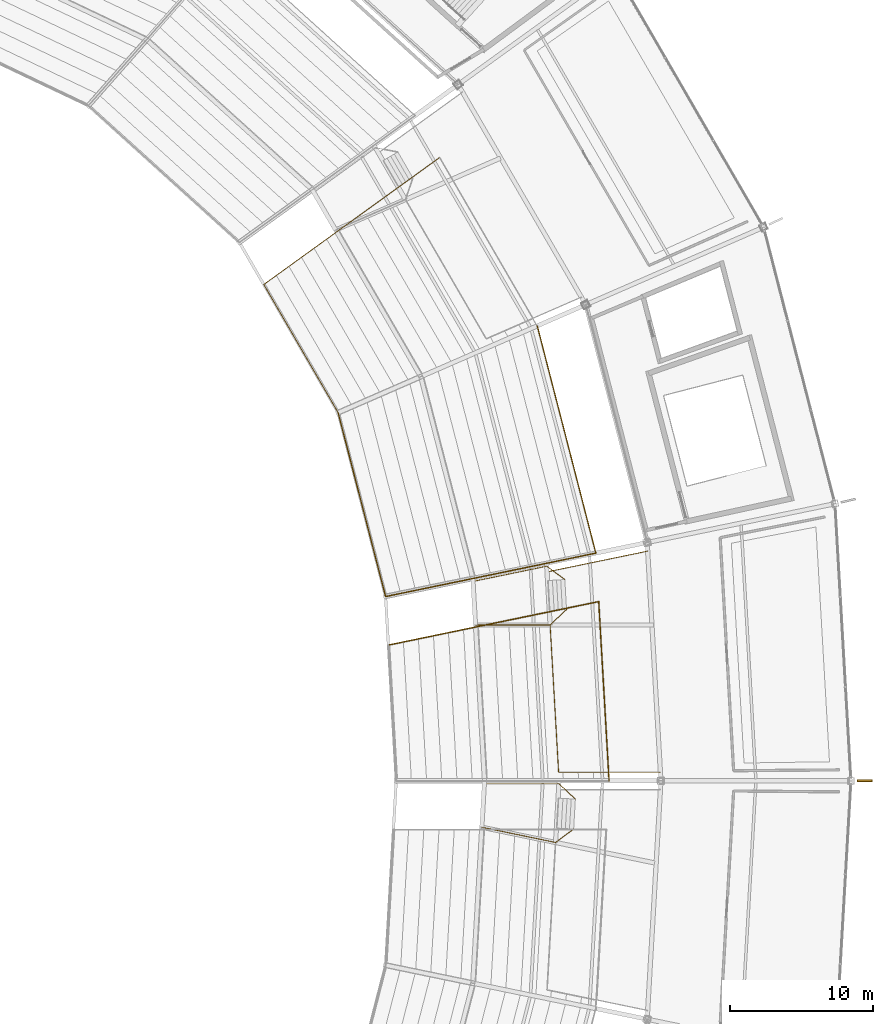
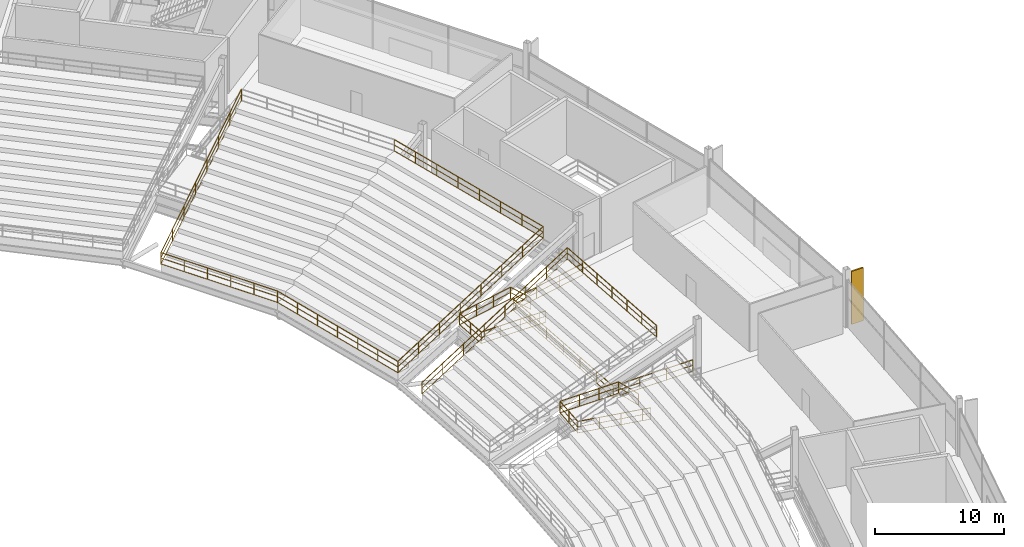
# One storey, part 179 of 186: 10 railings, 1 shading device.
"""IFC4 building model written with IfcOpenShell, lengths in metres."""

from ifc_helpers import new_model, si_unit, direction, frame, origin, origin_2d, place, context, subcontext, project, spatial, rectangle, extrude, material, type_object, element, save


model = new_model("IFC4")

# Units and contexts
model_context = context("Model", 3, precision=1e-05, world=origin(), true_north=direction((0.0, 1.0)))
body_context = subcontext(model_context, "Body", "Model", "MODEL_VIEW")
ifc_project = project(units=[si_unit("LENGTHUNIT", "METRE"), si_unit("AREAUNIT", "SQUARE_METRE"), si_unit("VOLUMEUNIT", "CUBIC_METRE"), si_unit("PLANEANGLEUNIT", "RADIAN"), si_unit("MASSUNIT", "GRAM", prefix="KILO")], contexts=[model_context])

# Site, building, storey
site_placement = place(None, origin())
site = spatial("IfcSite", under=ifc_project, at=site_placement, CompositionType="ELEMENT")
building_placement = place(site_placement, origin())
building = spatial("IfcBuilding", under=site, at=building_placement, Name="Kazemori Nagisa Stadium", CompositionType="ELEMENT")
storey_placement = place(building_placement, frame((0.0, 0.0, 20.39990234375)))
storey = spatial("IfcBuildingStorey", under=building, at=storey_placement, Name="L04", CompositionType="ELEMENT", Elevation=20.39990234375)

# Shading device
ifc_material_1 = material(Name="Aluminium 6063-T5 anodised", Category="aluminium")
shading_device_type = type_object("IfcShadingDeviceType", Name="Fin_FN03", PredefinedType="USERDEFINED", material=ifc_material_1)
shading_device_placement = place(storey_placement, frame((218.955078125, 102.0, 0.0), z_axis=(0.0, 0.0, 1.0), x_axis=(1.0, 0.0, 0.0)))
element("IfcShadingDevice", 1, at=shading_device_placement, inside=storey, type_object=shading_device_type, Name="Aerodynamic wave shading fin L04-01", ObjectType="FIN", PredefinedType="USERDEFINED", context=body_context, shape_type="SweptSolid", body=[
    extrude(rectangle(XDim=1.050048828125, YDim=0.139892578125, at=origin_2d()), origin(), (0.0, 0.0, 1.0), 5.0),
])

# Railings
ifc_material_2 = material(Name="Laminated safety glass and stainless steel SUS304", Category="steel")
railing_type_1 = type_object("IfcRailingType", Name="Rail_BAL", PredefinedType="BALUSTRADE", material=ifc_material_2)
railing_1_placement = place(storey_placement, frame((204.66552734375, 102.59912109375, 0.0)))
element("IfcRailing", 2, at=railing_1_placement, inside=storey, type_object=railing_type_1, Name="Upper vomitory lobby balustrade B01", PredefinedType="BALUSTRADE", context=body_context, shape_type="SweptSolid", body=[
    extrude(rectangle(XDim=0.050048828125, YDim=0.050048828125, at=origin_2d()), frame((0.0, 0.0, 1.09521484375), z_axis=(-1.0, 0.0, 0.0), x_axis=(0.0, -1.0, 0.0)), (0.0, 0.0, 1.0), 7.125),
    extrude(rectangle(XDim=0.03759765625, YDim=0.03759765625, at=origin_2d()), frame((0.0, 0.0, 0.58251953125), z_axis=(-1.0, 0.0, 0.0), x_axis=(0.0, -1.0, 0.0)), (0.0, 0.0, 1.0), 7.125),
    extrude(rectangle(XDim=0.03759765625, YDim=0.03759765625, at=origin_2d()), frame((0.0, 0.0, 0.02490234375), z_axis=(-1.0, 0.0, 0.0), x_axis=(0.0, -1.0, 0.0)), (0.0, 0.0, 1.0), 7.125),
    extrude(rectangle(XDim=0.050048828125, YDim=0.050048828125, at=origin_2d()), frame((-7.125, 0.0, 1.09521484375), z_axis=(-0.057610854061, 0.998339115478, 0.0), x_axis=(-0.998339115478, -0.057610854061, 0.0)), (0.0, 0.0, 1.0), 14.052490234375),
    extrude(rectangle(XDim=0.03759765625, YDim=0.03759765625, at=origin_2d()), frame((-7.125, 0.0, 0.58251953125), z_axis=(-0.057610854061, 0.998339115478, 0.0), x_axis=(-0.998339115478, -0.057610854061, 0.0)), (0.0, 0.0, 1.0), 14.052490234375),
    extrude(rectangle(XDim=0.03759765625, YDim=0.03759765625, at=origin_2d()), frame((-7.125, 0.0, 0.02490234375), z_axis=(-0.057610854061, 0.998339115478, 0.0), x_axis=(-0.998339115478, -0.057610854061, 0.0)), (0.0, 0.0, 1.0), 14.052490234375),
    extrude(rectangle(XDim=0.050048828125, YDim=0.050048828125, at=origin_2d()), frame((-7.9345703125, 14.029052734375, 1.09521484375), z_axis=(0.979313585997, 0.202348462516, 0.0), x_axis=(-0.202348462516, 0.979313585997, 0.0)), (0.0, 0.0, 1.0), 7.189697265625),
    extrude(rectangle(XDim=0.03759765625, YDim=0.03759765625, at=origin_2d()), frame((-7.9345703125, 14.029052734375, 0.58251953125), z_axis=(0.979313585997, 0.202348462516, 0.0), x_axis=(-0.202348462516, 0.979313585997, 0.0)), (0.0, 0.0, 1.0), 7.189697265625),
    extrude(rectangle(XDim=0.03759765625, YDim=0.03759765625, at=origin_2d()), frame((-7.9345703125, 14.029052734375, 0.02490234375), z_axis=(0.979313585997, 0.202348462516, 0.0), x_axis=(-0.202348462516, 0.979313585997, 0.0)), (0.0, 0.0, 1.0), 7.189697265625),
    extrude(rectangle(XDim=0.044921875, YDim=0.044921875, at=origin_2d()), origin(), (0.0, 0.0, 1.0), 1.070068359375),
    extrude(rectangle(XDim=0.044921875, YDim=0.044921875, at=origin_2d()), frame((-2.375, 0.0, 0.0)), (0.0, 0.0, 1.0), 1.070068359375),
    extrude(rectangle(XDim=0.044921875, YDim=0.044921875, at=origin_2d()), frame((-4.75, 0.0, 0.0)), (0.0, 0.0, 1.0), 1.070068359375),
    extrude(rectangle(XDim=0.044921875, YDim=0.044921875, at=origin_2d()), frame((-7.125, 0.0, 0.0)), (0.0, 0.0, 1.0), 1.070068359375),
    extrude(rectangle(XDim=0.044921875, YDim=0.044921875, at=origin_2d()), frame((-7.260009765625, 2.338134765625, 0.0)), (0.0, 0.0, 1.0), 1.070068359375),
    extrude(rectangle(XDim=0.044921875, YDim=0.044921875, at=origin_2d()), frame((-7.394775390625, 4.67626953125, 0.0)), (0.0, 0.0, 1.0), 1.070068359375),
    extrude(rectangle(XDim=0.044921875, YDim=0.044921875, at=origin_2d()), frame((-7.52978515625, 7.0146484375, 0.0)), (0.0, 0.0, 1.0), 1.070068359375),
    extrude(rectangle(XDim=0.044921875, YDim=0.044921875, at=origin_2d()), frame((-7.664794921875, 9.352783203125, 0.0)), (0.0, 0.0, 1.0), 1.070068359375),
    extrude(rectangle(XDim=0.044921875, YDim=0.044921875, at=origin_2d()), frame((-7.799560546875, 11.69091796875, 0.0)), (0.0, 0.0, 1.0), 1.070068359375),
    extrude(rectangle(XDim=0.044921875, YDim=0.044921875, at=origin_2d()), frame((-7.9345703125, 14.029052734375, 0.0)), (0.0, 0.0, 1.0), 1.070068359375),
    extrude(rectangle(XDim=0.044921875, YDim=0.044921875, at=origin_2d()), frame((-5.587646484375, 14.513916015625, 0.0)), (0.0, 0.0, 1.0), 1.070068359375),
    extrude(rectangle(XDim=0.044921875, YDim=0.044921875, at=origin_2d()), frame((-3.240478515625, 14.9990234375, 0.0)), (0.0, 0.0, 1.0), 1.070068359375),
    extrude(rectangle(XDim=0.044921875, YDim=0.044921875, at=origin_2d()), frame((-0.8935546875, 15.48388671875, 0.0)), (0.0, 0.0, 1.0), 1.070068359375),
])
ifc_material_3 = material(Name="Galvanised powder-coated steel", Category="steel")
railing_type_2 = type_object("IfcRailingType", Name="Rail_GUARD", PredefinedType="GUARDRAIL", material=ifc_material_3)
railing_2_placement = place(storey_placement, frame((198.094970703125, 113.9931640625, 0.0)))
element("IfcRailing", 3, at=railing_2_placement, inside=storey, type_object=railing_type_2, Name="Vomitory upper portal guard VU01", PredefinedType="GUARDRAIL", context=body_context, shape_type="SweptSolid", body=[
    extrude(rectangle(XDim=0.050048828125, YDim=0.050048828125, at=origin_2d()), frame((0.0, 0.0, 1.09521484375), z_axis=(-0.637018994905, -0.596977027928, 0.487673280236), x_axis=(0.683801949818, -0.729667659572, 0.0)), (0.0, 0.0, 1.0), 1.8046875),
    extrude(rectangle(XDim=0.03759765625, YDim=0.03759765625, at=origin_2d()), frame((0.0, 0.0, 0.58251953125), z_axis=(-0.637018994905, -0.596977027928, 0.487673280236), x_axis=(0.683801949818, -0.729667659572, 0.0)), (0.0, 0.0, 1.0), 1.8046875),
    extrude(rectangle(XDim=0.03759765625, YDim=0.03759765625, at=origin_2d()), frame((0.0, 0.0, 0.02490234375), z_axis=(-0.637018994905, -0.596977027928, 0.487673280236), x_axis=(0.683801949818, -0.729667659572, 0.0)), (0.0, 0.0, 1.0), 1.8046875),
    extrude(rectangle(XDim=0.050048828125, YDim=0.050048828125, at=origin_2d()), frame((-1.149658203125, -1.077392578125, 1.97509765625), z_axis=(-1.0, 0.0, 0.0), x_axis=(0.0, -1.0, 0.0)), (0.0, 0.0, 1.0), 5.22509765625),
    extrude(rectangle(XDim=0.03759765625, YDim=0.03759765625, at=origin_2d()), frame((-1.149658203125, -1.077392578125, 1.462646484375), z_axis=(-1.0, 0.0, 0.0), x_axis=(0.0, -1.0, 0.0)), (0.0, 0.0, 1.0), 5.22509765625),
    extrude(rectangle(XDim=0.03759765625, YDim=0.03759765625, at=origin_2d()), frame((-1.149658203125, -1.077392578125, 0.9052734375), z_axis=(-1.0, 0.0, 0.0), x_axis=(0.0, -1.0, 0.0)), (0.0, 0.0, 1.0), 5.22509765625),
    extrude(rectangle(XDim=0.050048828125, YDim=0.050048828125, at=origin_2d()), frame((-6.374755859375, -1.077392578125, 1.97509765625), z_axis=(-0.057633356959, 0.998337816656, 0.0), x_axis=(-0.998337816656, -0.057633356959, 0.0)), (0.0, 0.0, 1.0), 3.050048828125),
    extrude(rectangle(XDim=0.03759765625, YDim=0.03759765625, at=origin_2d()), frame((-6.374755859375, -1.077392578125, 1.462646484375), z_axis=(-0.057633356959, 0.998337816656, 0.0), x_axis=(-0.998337816656, -0.057633356959, 0.0)), (0.0, 0.0, 1.0), 3.050048828125),
    extrude(rectangle(XDim=0.03759765625, YDim=0.03759765625, at=origin_2d()), frame((-6.374755859375, -1.077392578125, 0.9052734375), z_axis=(-0.057633356959, 0.998337816656, 0.0), x_axis=(-0.998337816656, -0.057633356959, 0.0)), (0.0, 0.0, 1.0), 3.050048828125),
    extrude(rectangle(XDim=0.050048828125, YDim=0.050048828125, at=origin_2d()), frame((-6.550537109375, 1.967529296875, 1.97509765625), z_axis=(0.979314238208, 0.202345305956, 0.0), x_axis=(-0.202345305956, 0.979314238208, 0.0)), (0.0, 0.0, 1.0), 5.272705078125),
    extrude(rectangle(XDim=0.03759765625, YDim=0.03759765625, at=origin_2d()), frame((-6.550537109375, 1.967529296875, 1.462646484375), z_axis=(0.979314238208, 0.202345305956, 0.0), x_axis=(-0.202345305956, 0.979314238208, 0.0)), (0.0, 0.0, 1.0), 5.272705078125),
    extrude(rectangle(XDim=0.03759765625, YDim=0.03759765625, at=origin_2d()), frame((-6.550537109375, 1.967529296875, 0.9052734375), z_axis=(0.979314238208, 0.202345305956, 0.0), x_axis=(-0.202345305956, 0.979314238208, 0.0)), (0.0, 0.0, 1.0), 5.272705078125),
    extrude(rectangle(XDim=0.050048828125, YDim=0.050048828125, at=origin_2d()), frame((-1.386962890625, 3.034423828125, 1.97509765625), z_axis=(0.701505582617, -0.519703904438, -0.487645126366), x_axis=(0.595279424775, 0.803518765456, 0.0)), (0.0, 0.0, 1.0), 1.804931640625),
    extrude(rectangle(XDim=0.03759765625, YDim=0.03759765625, at=origin_2d()), frame((-1.386962890625, 3.034423828125, 1.462646484375), z_axis=(0.701505582617, -0.519703904438, -0.487645126366), x_axis=(0.595279424775, 0.803518765456, 0.0)), (0.0, 0.0, 1.0), 1.804931640625),
    extrude(rectangle(XDim=0.03759765625, YDim=0.03759765625, at=origin_2d()), frame((-1.386962890625, 3.034423828125, 0.9052734375), z_axis=(0.701505582617, -0.519703904438, -0.487645126366), x_axis=(0.595279424775, 0.803518765456, 0.0)), (0.0, 0.0, 1.0), 1.804931640625),
    extrude(rectangle(XDim=0.044921875, YDim=0.044921875, at=origin_2d()), origin(), (0.0, 0.0, 1.0), 1.070068359375),
    extrude(rectangle(XDim=0.044921875, YDim=0.044921875, at=origin_2d()), frame((-1.149658203125, -1.077392578125, 0.880126953125)), (0.0, 0.0, 1.0), 1.070068359375),
    extrude(rectangle(XDim=0.044921875, YDim=0.044921875, at=origin_2d()), frame((-2.891357421875, -1.077392578125, 0.880126953125)), (0.0, 0.0, 1.0), 1.070068359375),
    extrude(rectangle(XDim=0.044921875, YDim=0.044921875, at=origin_2d()), frame((-4.633056640625, -1.077392578125, 0.880126953125)), (0.0, 0.0, 1.0), 1.070068359375),
    extrude(rectangle(XDim=0.044921875, YDim=0.044921875, at=origin_2d()), frame((-6.374755859375, -1.077392578125, 0.880126953125)), (0.0, 0.0, 1.0), 1.070068359375),
    extrude(rectangle(XDim=0.044921875, YDim=0.044921875, at=origin_2d()), frame((-6.462646484375, 0.445068359375, 0.880126953125)), (0.0, 0.0, 1.0), 1.070068359375),
    extrude(rectangle(XDim=0.044921875, YDim=0.044921875, at=origin_2d()), frame((-6.550537109375, 1.967529296875, 0.880126953125)), (0.0, 0.0, 1.0), 1.070068359375),
    extrude(rectangle(XDim=0.044921875, YDim=0.044921875, at=origin_2d()), frame((-4.829345703125, 2.3232421875, 0.880126953125)), (0.0, 0.0, 1.0), 1.070068359375),
    extrude(rectangle(XDim=0.044921875, YDim=0.044921875, at=origin_2d()), frame((-3.108154296875, 2.6787109375, 0.880126953125)), (0.0, 0.0, 1.0), 1.070068359375),
    extrude(rectangle(XDim=0.044921875, YDim=0.044921875, at=origin_2d()), frame((-1.386962890625, 3.034423828125, 0.880126953125)), (0.0, 0.0, 1.0), 1.070068359375),
    extrude(rectangle(XDim=0.044921875, YDim=0.044921875, at=origin_2d()), frame((-0.120849609375, 2.096435546875, 0.0)), (0.0, 0.0, 1.0), 1.070068359375),
])
railing_3_placement = place(storey_placement, frame((198.59228515625, 98.62646484375, 0.0)))
element("IfcRailing", 4, at=railing_3_placement, inside=storey, type_object=railing_type_2, Name="Vomitory upper portal guard VU12", PredefinedType="GUARDRAIL", context=body_context, shape_type="SweptSolid", body=[
    extrude(rectangle(XDim=0.050048828125, YDim=0.050048828125, at=origin_2d()), frame((0.0, 0.0, 1.09521484375), z_axis=(-0.701505582617, -0.519703904438, 0.487645126366), x_axis=(0.595279424775, -0.803518765456, 0.0)), (0.0, 0.0, 1.0), 1.804931640625),
    extrude(rectangle(XDim=0.03759765625, YDim=0.03759765625, at=origin_2d()), frame((0.0, 0.0, 0.58251953125), z_axis=(-0.701505582617, -0.519703904438, 0.487645126366), x_axis=(0.595279424775, -0.803518765456, 0.0)), (0.0, 0.0, 1.0), 1.804931640625),
    extrude(rectangle(XDim=0.03759765625, YDim=0.03759765625, at=origin_2d()), frame((0.0, 0.0, 0.02490234375), z_axis=(-0.701505582617, -0.519703904438, 0.487645126366), x_axis=(0.595279424775, -0.803518765456, 0.0)), (0.0, 0.0, 1.0), 1.804931640625),
    extrude(rectangle(XDim=0.050048828125, YDim=0.050048828125, at=origin_2d()), frame((-1.26611328125, -0.93798828125, 1.97509765625), z_axis=(-0.979312342256, 0.202354481803, 0.0), x_axis=(-0.202354481803, -0.979312342256, 0.0)), (0.0, 0.0, 1.0), 5.2724609375),
    extrude(rectangle(XDim=0.03759765625, YDim=0.03759765625, at=origin_2d()), frame((-1.26611328125, -0.93798828125, 1.462646484375), z_axis=(-0.979312342256, 0.202354481803, 0.0), x_axis=(-0.202354481803, -0.979312342256, 0.0)), (0.0, 0.0, 1.0), 5.2724609375),
    extrude(rectangle(XDim=0.03759765625, YDim=0.03759765625, at=origin_2d()), frame((-1.26611328125, -0.93798828125, 0.9052734375), z_axis=(-0.979312342256, 0.202354481803, 0.0), x_axis=(-0.202354481803, -0.979312342256, 0.0)), (0.0, 0.0, 1.0), 5.2724609375),
    extrude(rectangle(XDim=0.050048828125, YDim=0.050048828125, at=origin_2d()), frame((-6.429443359375, 0.12890625, 1.97509765625), z_axis=(0.05755357596, 0.99834241916, 0.0), x_axis=(-0.99834241916, 0.05755357596, 0.0)), (0.0, 0.0, 1.0), 3.050048828125),
    extrude(rectangle(XDim=0.03759765625, YDim=0.03759765625, at=origin_2d()), frame((-6.429443359375, 0.12890625, 1.462646484375), z_axis=(0.05755357596, 0.99834241916, 0.0), x_axis=(-0.99834241916, 0.05755357596, 0.0)), (0.0, 0.0, 1.0), 3.050048828125),
    extrude(rectangle(XDim=0.03759765625, YDim=0.03759765625, at=origin_2d()), frame((-6.429443359375, 0.12890625, 0.9052734375), z_axis=(0.05755357596, 0.99834241916, 0.0), x_axis=(-0.99834241916, 0.05755357596, 0.0)), (0.0, 0.0, 1.0), 3.050048828125),
    extrude(rectangle(XDim=0.050048828125, YDim=0.050048828125, at=origin_2d()), frame((-6.25390625, 3.173828125, 1.97509765625), z_axis=(1.0, 0.0, 0.0), x_axis=(0.0, 1.0, 0.0)), (0.0, 0.0, 1.0), 5.22509765625),
    extrude(rectangle(XDim=0.03759765625, YDim=0.03759765625, at=origin_2d()), frame((-6.25390625, 3.173828125, 1.462646484375), z_axis=(1.0, 0.0, 0.0), x_axis=(0.0, 1.0, 0.0)), (0.0, 0.0, 1.0), 5.22509765625),
    extrude(rectangle(XDim=0.03759765625, YDim=0.03759765625, at=origin_2d()), frame((-6.25390625, 3.173828125, 0.9052734375), z_axis=(1.0, 0.0, 0.0), x_axis=(0.0, 1.0, 0.0)), (0.0, 0.0, 1.0), 5.22509765625),
    extrude(rectangle(XDim=0.050048828125, YDim=0.050048828125, at=origin_2d()), frame((-1.02880859375, 3.173828125, 1.97509765625), z_axis=(0.637099366978, -0.596925585239, -0.487631256466), x_axis=(0.683724641843, 0.729740100403, 0.0)), (0.0, 0.0, 1.0), 1.804931640625),
    extrude(rectangle(XDim=0.03759765625, YDim=0.03759765625, at=origin_2d()), frame((-1.02880859375, 3.173828125, 1.462646484375), z_axis=(0.637099366978, -0.596925585239, -0.487631256466), x_axis=(0.683724641843, 0.729740100403, 0.0)), (0.0, 0.0, 1.0), 1.804931640625),
    extrude(rectangle(XDim=0.03759765625, YDim=0.03759765625, at=origin_2d()), frame((-1.02880859375, 3.173828125, 0.9052734375), z_axis=(0.637099366978, -0.596925585239, -0.487631256466), x_axis=(0.683724641843, 0.729740100403, 0.0)), (0.0, 0.0, 1.0), 1.804931640625),
    extrude(rectangle(XDim=0.044921875, YDim=0.044921875, at=origin_2d()), origin(), (0.0, 0.0, 1.0), 1.070068359375),
    extrude(rectangle(XDim=0.044921875, YDim=0.044921875, at=origin_2d()), frame((-1.26611328125, -0.93798828125, 0.880126953125)), (0.0, 0.0, 1.0), 1.070068359375),
    extrude(rectangle(XDim=0.044921875, YDim=0.044921875, at=origin_2d()), frame((-2.9873046875, -0.582275390625, 0.880126953125)), (0.0, 0.0, 1.0), 1.070068359375),
    extrude(rectangle(XDim=0.044921875, YDim=0.044921875, at=origin_2d()), frame((-4.708251953125, -0.226806640625, 0.880126953125)), (0.0, 0.0, 1.0), 1.070068359375),
    extrude(rectangle(XDim=0.044921875, YDim=0.044921875, at=origin_2d()), frame((-6.429443359375, 0.12890625, 0.880126953125)), (0.0, 0.0, 1.0), 1.070068359375),
    extrude(rectangle(XDim=0.044921875, YDim=0.044921875, at=origin_2d()), frame((-6.341796875, 1.6513671875, 0.880126953125)), (0.0, 0.0, 1.0), 1.070068359375),
    extrude(rectangle(XDim=0.044921875, YDim=0.044921875, at=origin_2d()), frame((-6.25390625, 3.173828125, 0.880126953125)), (0.0, 0.0, 1.0), 1.070068359375),
    extrude(rectangle(XDim=0.044921875, YDim=0.044921875, at=origin_2d()), frame((-4.51220703125, 3.173828125, 0.880126953125)), (0.0, 0.0, 1.0), 1.070068359375),
    extrude(rectangle(XDim=0.044921875, YDim=0.044921875, at=origin_2d()), frame((-2.7705078125, 3.173828125, 0.880126953125)), (0.0, 0.0, 1.0), 1.070068359375),
    extrude(rectangle(XDim=0.044921875, YDim=0.044921875, at=origin_2d()), frame((-1.02880859375, 3.173828125, 0.880126953125)), (0.0, 0.0, 1.0), 1.070068359375),
    extrude(rectangle(XDim=0.044921875, YDim=0.044921875, at=origin_2d()), frame((0.12109375, 2.096435546875, 0.0)), (0.0, 0.0, 1.0), 1.070068359375),
])
railing_4_placement = place(storey_placement, frame((201.071044921875, 102.0, 4.840087890625)))
element("IfcRailing", 5, at=railing_4_placement, inside=storey, type_object=railing_type_2, Name="Upper tier rear guard B01", PredefinedType="GUARDRAIL", context=body_context, shape_type="SweptSolid", body=[
    extrude(rectangle(XDim=0.050048828125, YDim=0.050048828125, at=origin_2d()), frame((0.0, 0.0, 1.09521484375), z_axis=(-0.057599141507, 0.998339791302, 0.0), x_axis=(-0.998339791302, -0.057599141507, 0.0)), (0.0, 0.0, 1.0), 12.5673828125),
    extrude(rectangle(XDim=0.03759765625, YDim=0.03759765625, at=origin_2d()), frame((0.0, 0.0, 0.58251953125), z_axis=(-0.057599141507, 0.998339791302, 0.0), x_axis=(-0.998339791302, -0.057599141507, 0.0)), (0.0, 0.0, 1.0), 12.5673828125),
    extrude(rectangle(XDim=0.03759765625, YDim=0.03759765625, at=origin_2d()), frame((0.0, 0.0, 0.02490234375), z_axis=(-0.057599141507, 0.998339791302, 0.0), x_axis=(-0.998339791302, -0.057599141507, 0.0)), (0.0, 0.0, 1.0), 12.5673828125),
    extrude(rectangle(XDim=0.044921875, YDim=0.044921875, at=origin_2d()), origin(), (0.0, 0.0, 1.0), 1.070068359375),
    extrude(rectangle(XDim=0.044921875, YDim=0.044921875, at=origin_2d()), frame((-0.12060546875, 2.091064453125, 0.0)), (0.0, 0.0, 1.0), 1.070068359375),
    extrude(rectangle(XDim=0.044921875, YDim=0.044921875, at=origin_2d()), frame((-0.2412109375, 4.18212890625, 0.0)), (0.0, 0.0, 1.0), 1.070068359375),
    extrude(rectangle(XDim=0.044921875, YDim=0.044921875, at=origin_2d()), frame((-0.36181640625, 6.2734375, 0.0)), (0.0, 0.0, 1.0), 1.070068359375),
    extrude(rectangle(XDim=0.044921875, YDim=0.044921875, at=origin_2d()), frame((-0.482666015625, 8.364501953125, 0.0)), (0.0, 0.0, 1.0), 1.070068359375),
    extrude(rectangle(XDim=0.044921875, YDim=0.044921875, at=origin_2d()), frame((-0.603271484375, 10.45556640625, 0.0)), (0.0, 0.0, 1.0), 1.070068359375),
    extrude(rectangle(XDim=0.044921875, YDim=0.044921875, at=origin_2d()), frame((-0.723876953125, 12.546630859375, 0.0)), (0.0, 0.0, 1.0), 1.070068359375),
])
railing_5_placement = place(storey_placement, frame((185.62646484375, 111.505126953125, -0.8798828125)))
element("IfcRailing", 6, at=railing_5_placement, inside=storey, type_object=railing_type_2, Name="Upper tier radial step guard B01R", PredefinedType="GUARDRAIL", context=body_context, shape_type="SweptSolid", body=[
    extrude(rectangle(XDim=0.050048828125, YDim=0.050048828125, at=origin_2d()), frame((0.0, 0.0, 1.09521484375), z_axis=(0.915286962269, 0.189111134668, 0.355649765142), x_axis=(-0.202340283081, 0.979315276018, 0.0)), (0.0, 0.0, 1.0), 16.083251953125),
    extrude(rectangle(XDim=0.03759765625, YDim=0.03759765625, at=origin_2d()), frame((0.0, 0.0, 0.58251953125), z_axis=(0.915286962269, 0.189111134668, 0.355649765142), x_axis=(-0.202340283081, 0.979315276018, 0.0)), (0.0, 0.0, 1.0), 16.083251953125),
    extrude(rectangle(XDim=0.03759765625, YDim=0.03759765625, at=origin_2d()), frame((0.0, 0.0, 0.02490234375), z_axis=(0.915286962269, 0.189111134668, 0.355649765142), x_axis=(-0.202340283081, 0.979315276018, 0.0)), (0.0, 0.0, 1.0), 16.083251953125),
    extrude(rectangle(XDim=0.044921875, YDim=0.044921875, at=origin_2d()), origin(), (0.0, 0.0, 1.0), 1.070068359375),
    extrude(rectangle(XDim=0.044921875, YDim=0.044921875, at=origin_2d()), frame((2.10302734375, 0.4345703125, 0.817138671875)), (0.0, 0.0, 1.0), 1.070068359375),
    extrude(rectangle(XDim=0.044921875, YDim=0.044921875, at=origin_2d()), frame((4.205810546875, 0.868896484375, 1.63427734375)), (0.0, 0.0, 1.0), 1.070068359375),
    extrude(rectangle(XDim=0.044921875, YDim=0.044921875, at=origin_2d()), frame((6.308837890625, 1.303466796875, 2.451416015625)), (0.0, 0.0, 1.0), 1.070068359375),
    extrude(rectangle(XDim=0.044921875, YDim=0.044921875, at=origin_2d()), frame((8.411865234375, 1.738037109375, 3.2685546875)), (0.0, 0.0, 1.0), 1.070068359375),
    extrude(rectangle(XDim=0.044921875, YDim=0.044921875, at=origin_2d()), frame((10.514892578125, 2.172607421875, 4.085693359375)), (0.0, 0.0, 1.0), 1.070068359375),
    extrude(rectangle(XDim=0.044921875, YDim=0.044921875, at=origin_2d()), frame((12.61767578125, 2.60693359375, 4.90283203125)), (0.0, 0.0, 1.0), 1.070068359375),
    extrude(rectangle(XDim=0.044921875, YDim=0.044921875, at=origin_2d()), frame((14.720703125, 3.04150390625, 5.719970703125)), (0.0, 0.0, 1.0), 1.070068359375),
])
railing_6_placement = place(storey_placement, frame((185.4306640625, 114.8994140625, -0.8798828125)))
element("IfcRailing", 7, at=railing_6_placement, inside=storey, type_object=railing_type_2, Name="Upper tier front crowd barrier B02", PredefinedType="GUARDRAIL", context=body_context, shape_type="SweptSolid", body=[
    extrude(rectangle(XDim=0.050048828125, YDim=0.050048828125, at=origin_2d()), frame((0.0, 0.0, 1.09521484375), z_axis=(-0.249962460732, 0.968255528373, 0.0), x_axis=(-0.968255528373, -0.249962460732, 0.0)), (0.0, 0.0, 1.0), 13.291015625),
    extrude(rectangle(XDim=0.03759765625, YDim=0.03759765625, at=origin_2d()), frame((0.0, 0.0, 0.58251953125), z_axis=(-0.249962460732, 0.968255528373, 0.0), x_axis=(-0.968255528373, -0.249962460732, 0.0)), (0.0, 0.0, 1.0), 13.291015625),
    extrude(rectangle(XDim=0.03759765625, YDim=0.03759765625, at=origin_2d()), frame((0.0, 0.0, 0.02490234375), z_axis=(-0.249962460732, 0.968255528373, 0.0), x_axis=(-0.968255528373, -0.249962460732, 0.0)), (0.0, 0.0, 1.0), 13.291015625),
    extrude(rectangle(XDim=0.044921875, YDim=0.044921875, at=origin_2d()), origin(), (0.0, 0.0, 1.0), 1.070068359375),
    extrude(rectangle(XDim=0.044921875, YDim=0.044921875, at=origin_2d()), frame((-0.5537109375, 2.144775390625, 0.0)), (0.0, 0.0, 1.0), 1.070068359375),
    extrude(rectangle(XDim=0.044921875, YDim=0.044921875, at=origin_2d()), frame((-1.107421875, 4.289794921875, 0.0)), (0.0, 0.0, 1.0), 1.070068359375),
    extrude(rectangle(XDim=0.044921875, YDim=0.044921875, at=origin_2d()), frame((-1.6611328125, 6.4345703125, 0.0)), (0.0, 0.0, 1.0), 1.070068359375),
    extrude(rectangle(XDim=0.044921875, YDim=0.044921875, at=origin_2d()), frame((-2.21484375, 8.579345703125, 0.0)), (0.0, 0.0, 1.0), 1.070068359375),
    extrude(rectangle(XDim=0.044921875, YDim=0.044921875, at=origin_2d()), frame((-2.7685546875, 10.724365234375, 0.0)), (0.0, 0.0, 1.0), 1.070068359375),
    extrude(rectangle(XDim=0.044921875, YDim=0.044921875, at=origin_2d()), frame((-3.322265625, 12.869140625, 0.0)), (0.0, 0.0, 1.0), 1.070068359375),
])
railing_7_placement = place(storey_placement, frame((200.151123046875, 117.94091796875, 4.840087890625)))
element("IfcRailing", 8, at=railing_7_placement, inside=storey, type_object=railing_type_2, Name="Upper tier rear guard B02", PredefinedType="GUARDRAIL", context=body_context, shape_type="SweptSolid", body=[
    extrude(rectangle(XDim=0.050048828125, YDim=0.050048828125, at=origin_2d()), frame((0.0, 0.0, 1.09521484375), z_axis=(-0.24995354204, 0.968257830757, 0.0), x_axis=(-0.968257830757, -0.24995354204, 0.0)), (0.0, 0.0, 1.0), 16.425048828125),
    extrude(rectangle(XDim=0.03759765625, YDim=0.03759765625, at=origin_2d()), frame((0.0, 0.0, 0.58251953125), z_axis=(-0.24995354204, 0.968257830757, 0.0), x_axis=(-0.968257830757, -0.24995354204, 0.0)), (0.0, 0.0, 1.0), 16.425048828125),
    extrude(rectangle(XDim=0.03759765625, YDim=0.03759765625, at=origin_2d()), frame((0.0, 0.0, 0.02490234375), z_axis=(-0.24995354204, 0.968257830757, 0.0), x_axis=(-0.968257830757, -0.24995354204, 0.0)), (0.0, 0.0, 1.0), 16.425048828125),
    extrude(rectangle(XDim=0.044921875, YDim=0.044921875, at=origin_2d()), origin(), (0.0, 0.0, 1.0), 1.070068359375),
    extrude(rectangle(XDim=0.044921875, YDim=0.044921875, at=origin_2d()), frame((-0.58642578125, 2.27197265625, 0.0)), (0.0, 0.0, 1.0), 1.070068359375),
    extrude(rectangle(XDim=0.044921875, YDim=0.044921875, at=origin_2d()), frame((-1.173095703125, 4.5439453125, 0.0)), (0.0, 0.0, 1.0), 1.070068359375),
    extrude(rectangle(XDim=0.044921875, YDim=0.044921875, at=origin_2d()), frame((-1.759521484375, 6.81591796875, 0.0)), (0.0, 0.0, 1.0), 1.070068359375),
    extrude(rectangle(XDim=0.044921875, YDim=0.044921875, at=origin_2d()), frame((-2.345947265625, 9.087646484375, 0.0)), (0.0, 0.0, 1.0), 1.070068359375),
    extrude(rectangle(XDim=0.044921875, YDim=0.044921875, at=origin_2d()), frame((-2.932373046875, 11.359619140625, 0.0)), (0.0, 0.0, 1.0), 1.070068359375),
    extrude(rectangle(XDim=0.044921875, YDim=0.044921875, at=origin_2d()), frame((-3.51904296875, 13.631591796875, 0.0)), (0.0, 0.0, 1.0), 1.070068359375),
    extrude(rectangle(XDim=0.044921875, YDim=0.044921875, at=origin_2d()), frame((-4.10546875, 15.903564453125, 0.0)), (0.0, 0.0, 1.0), 1.070068359375),
])
railing_8_placement = place(storey_placement, frame((185.4306640625, 114.8994140625, -0.8798828125)))
element("IfcRailing", 9, at=railing_8_placement, inside=storey, type_object=railing_type_2, Name="Upper tier radial step guard B02L", PredefinedType="GUARDRAIL", context=body_context, shape_type="SweptSolid", body=[
    extrude(rectangle(XDim=0.050048828125, YDim=0.050048828125, at=origin_2d()), frame((0.0, 0.0, 1.09521484375), z_axis=(0.915284499283, 0.189113762204, 0.355654706588), x_axis=(-0.202343501523, 0.979314611038, 0.0)), (0.0, 0.0, 1.0), 16.0830078125),
    extrude(rectangle(XDim=0.03759765625, YDim=0.03759765625, at=origin_2d()), frame((0.0, 0.0, 0.58251953125), z_axis=(0.915284499283, 0.189113762204, 0.355654706588), x_axis=(-0.202343501523, 0.979314611038, 0.0)), (0.0, 0.0, 1.0), 16.0830078125),
    extrude(rectangle(XDim=0.03759765625, YDim=0.03759765625, at=origin_2d()), frame((0.0, 0.0, 0.02490234375), z_axis=(0.915284499283, 0.189113762204, 0.355654706588), x_axis=(-0.202343501523, 0.979314611038, 0.0)), (0.0, 0.0, 1.0), 16.0830078125),
    extrude(rectangle(XDim=0.044921875, YDim=0.044921875, at=origin_2d()), origin(), (0.0, 0.0, 1.0), 1.070068359375),
    extrude(rectangle(XDim=0.044921875, YDim=0.044921875, at=origin_2d()), frame((2.10302734375, 0.4345703125, 0.817138671875)), (0.0, 0.0, 1.0), 1.070068359375),
    extrude(rectangle(XDim=0.044921875, YDim=0.044921875, at=origin_2d()), frame((4.205810546875, 0.868896484375, 1.63427734375)), (0.0, 0.0, 1.0), 1.070068359375),
    extrude(rectangle(XDim=0.044921875, YDim=0.044921875, at=origin_2d()), frame((6.308837890625, 1.303466796875, 2.451416015625)), (0.0, 0.0, 1.0), 1.070068359375),
    extrude(rectangle(XDim=0.044921875, YDim=0.044921875, at=origin_2d()), frame((8.41162109375, 1.738037109375, 3.2685546875)), (0.0, 0.0, 1.0), 1.070068359375),
    extrude(rectangle(XDim=0.044921875, YDim=0.044921875, at=origin_2d()), frame((10.5146484375, 2.172607421875, 4.085693359375)), (0.0, 0.0, 1.0), 1.070068359375),
    extrude(rectangle(XDim=0.044921875, YDim=0.044921875, at=origin_2d()), frame((12.617431640625, 2.60693359375, 4.90283203125)), (0.0, 0.0, 1.0), 1.070068359375),
    extrude(rectangle(XDim=0.044921875, YDim=0.044921875, at=origin_2d()), frame((14.720458984375, 3.04150390625, 5.719970703125)), (0.0, 0.0, 1.0), 1.070068359375),
])
railing_9_placement = place(storey_placement, frame((182.1083984375, 127.7685546875, -0.8798828125)))
element("IfcRailing", 10, at=railing_9_placement, inside=storey, type_object=railing_type_2, Name="Upper tier front crowd barrier B03", PredefinedType="GUARDRAIL", context=body_context, shape_type="SweptSolid", body=[
    extrude(rectangle(XDim=0.050048828125, YDim=0.050048828125, at=origin_2d()), frame((0.0, 0.0, 1.09521484375), z_axis=(-0.501618763094, 0.865088791114, 0.0), x_axis=(-0.865088791114, -0.501618763094, 0.0)), (0.0, 0.0, 1.0), 10.37353515625),
    extrude(rectangle(XDim=0.03759765625, YDim=0.03759765625, at=origin_2d()), frame((0.0, 0.0, 0.58251953125), z_axis=(-0.501618763094, 0.865088791114, 0.0), x_axis=(-0.865088791114, -0.501618763094, 0.0)), (0.0, 0.0, 1.0), 10.37353515625),
    extrude(rectangle(XDim=0.03759765625, YDim=0.03759765625, at=origin_2d()), frame((0.0, 0.0, 0.02490234375), z_axis=(-0.501618763094, 0.865088791114, 0.0), x_axis=(-0.865088791114, -0.501618763094, 0.0)), (0.0, 0.0, 1.0), 10.37353515625),
    extrude(rectangle(XDim=0.044921875, YDim=0.044921875, at=origin_2d()), origin(), (0.0, 0.0, 1.0), 1.070068359375),
    extrude(rectangle(XDim=0.044921875, YDim=0.044921875, at=origin_2d()), frame((-1.040771484375, 1.794921875, 0.0)), (0.0, 0.0, 1.0), 1.070068359375),
    extrude(rectangle(XDim=0.044921875, YDim=0.044921875, at=origin_2d()), frame((-2.08154296875, 3.589599609375, 0.0)), (0.0, 0.0, 1.0), 1.070068359375),
    extrude(rectangle(XDim=0.044921875, YDim=0.044921875, at=origin_2d()), frame((-3.1220703125, 5.384521484375, 0.0)), (0.0, 0.0, 1.0), 1.070068359375),
    extrude(rectangle(XDim=0.044921875, YDim=0.044921875, at=origin_2d()), frame((-4.162841796875, 7.17919921875, 0.0)), (0.0, 0.0, 1.0), 1.070068359375),
    extrude(rectangle(XDim=0.044921875, YDim=0.044921875, at=origin_2d()), frame((-5.20361328125, 8.97412109375, 0.0)), (0.0, 0.0, 1.0), 1.070068359375),
])
railing_10_placement = place(storey_placement, frame((176.90478515625, 136.74267578125, -0.8798828125)))
element("IfcRailing", 11, at=railing_10_placement, inside=storey, type_object=railing_type_2, Name="Upper tier radial step guard B03R", PredefinedType="GUARDRAIL", context=body_context, shape_type="SweptSolid", body=[
    extrude(rectangle(XDim=0.050048828125, YDim=0.050048828125, at=origin_2d()), frame((0.0, 0.0, 1.09521484375), z_axis=(0.758720117879, 0.547737110529, 0.35260153215), x_axis=(-0.585330824372, 0.810794564634, 0.0)), (0.0, 0.0, 1.0), 16.22216796875),
    extrude(rectangle(XDim=0.03759765625, YDim=0.03759765625, at=origin_2d()), frame((0.0, 0.0, 0.58251953125), z_axis=(0.758720117879, 0.547737110529, 0.35260153215), x_axis=(-0.585330824372, 0.810794564634, 0.0)), (0.0, 0.0, 1.0), 16.22216796875),
    extrude(rectangle(XDim=0.03759765625, YDim=0.03759765625, at=origin_2d()), frame((0.0, 0.0, 0.02490234375), z_axis=(0.758720117879, 0.547737110529, 0.35260153215), x_axis=(-0.585330824372, 0.810794564634, 0.0)), (0.0, 0.0, 1.0), 16.22216796875),
    extrude(rectangle(XDim=0.044921875, YDim=0.044921875, at=origin_2d()), origin(), (0.0, 0.0, 1.0), 1.070068359375),
    extrude(rectangle(XDim=0.044921875, YDim=0.044921875, at=origin_2d()), frame((1.75830078125, 1.269287109375, 0.817138671875)), (0.0, 0.0, 1.0), 1.070068359375),
    extrude(rectangle(XDim=0.044921875, YDim=0.044921875, at=origin_2d()), frame((3.5166015625, 2.538818359375, 1.63427734375)), (0.0, 0.0, 1.0), 1.070068359375),
    extrude(rectangle(XDim=0.044921875, YDim=0.044921875, at=origin_2d()), frame((5.27490234375, 3.80810546875, 2.451416015625)), (0.0, 0.0, 1.0), 1.070068359375),
    extrude(rectangle(XDim=0.044921875, YDim=0.044921875, at=origin_2d()), frame((7.033203125, 5.077392578125, 3.2685546875)), (0.0, 0.0, 1.0), 1.070068359375),
    extrude(rectangle(XDim=0.044921875, YDim=0.044921875, at=origin_2d()), frame((8.79150390625, 6.3466796875, 4.085693359375)), (0.0, 0.0, 1.0), 1.070068359375),
    extrude(rectangle(XDim=0.044921875, YDim=0.044921875, at=origin_2d()), frame((10.5498046875, 7.6162109375, 4.90283203125)), (0.0, 0.0, 1.0), 1.070068359375),
    extrude(rectangle(XDim=0.044921875, YDim=0.044921875, at=origin_2d()), frame((12.30810546875, 8.885498046875, 5.719970703125)), (0.0, 0.0, 1.0), 1.070068359375),
])

save(model, "model.ifc")
